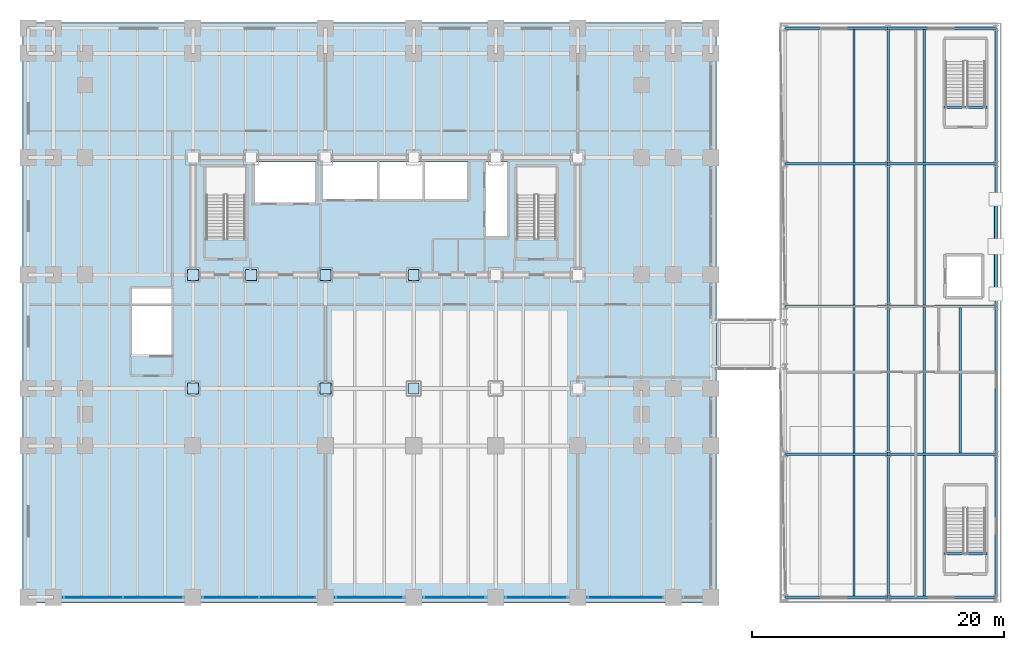
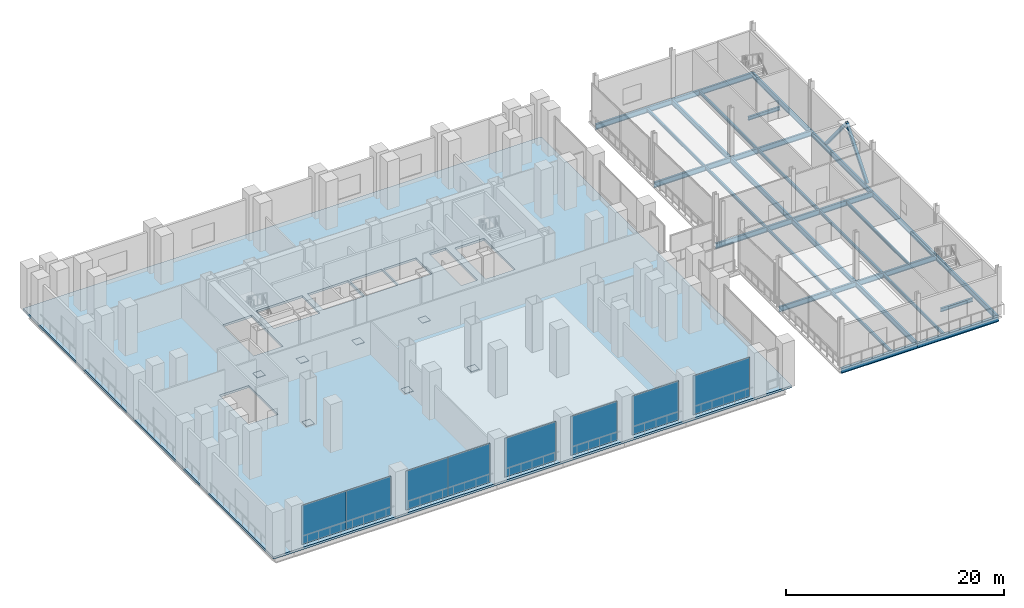
# One storey, part 20 of 30: 29 beams, 15 plates, 2 members, 1 slab, 8 openings, 6 elements without a shape of their own.
"""IFC4 building model written with IfcOpenShell, lengths in metres."""

from ifc_helpers import new_model, si_unit, direction, frame, origin, origin_2d, place, context, subcontext, project, spatial, polyline, rectangle, hollow_rectangle, i_section, outline, extrude, material, layer, layer_set, material_profile, profile_set, type_object, element, aggregate, save


model = new_model("IFC4")

# Units and contexts
model_context = context("Model", 3, precision=1e-05, world=origin(), true_north=direction((0.0, 1.0)))
body_context = subcontext(model_context, "Body", "Model", "MODEL_VIEW")
ifc_project = project(units=[si_unit("LENGTHUNIT", "METRE"), si_unit("AREAUNIT", "SQUARE_METRE"), si_unit("VOLUMEUNIT", "CUBIC_METRE"), si_unit("PLANEANGLEUNIT", "RADIAN"), si_unit("MASSUNIT", "GRAM", prefix="KILO")], contexts=[model_context])

# Site, building, storey
site_placement = place(None, origin())
site = spatial("IfcSite", under=ifc_project, at=site_placement, CompositionType="ELEMENT")
building_placement = place(site_placement, origin())
building = spatial("IfcBuilding", under=site, at=building_placement, Name="Noeulbin Bourse Tower", CompositionType="ELEMENT")
storey_placement = place(building_placement, frame((0.0, 0.0, 16.60009765625)))
storey = spatial("IfcBuildingStorey", under=building, at=storey_placement, Name="L04", CompositionType="ELEMENT", Elevation=16.60009765625)

# Beams
ifc_material_1 = material(Name="Steel S355", Category="steel")
ifc_material_profile_1 = material_profile(ifc_material_1, i_section(OverallWidth=0.199951171875, OverallDepth=0.60009765625, WebThickness=0.010986328125, FlangeThickness=0.01708984375, FilletRadius=0.02197265625, at=origin_2d()), Name="H-600x200x11x17", Category="LoadBearing")
ifc_profile_set_1 = profile_set([ifc_material_profile_1], Name="Steel S355")
beam_type_1 = type_object("IfcBeamType", Name="BM-GRD-600", PredefinedType="USERDEFINED", material=ifc_profile_set_1)
beam_1_placement = place(storey_placement, frame((60.449951171875, 3.449951171875, -0.52001953125), z_axis=(1.0, 0.0, 0.0), x_axis=(0.0, 1.0, 0.0)))
element("IfcBeam", 1, at=beam_1_placement, inside=storey, type_object=beam_type_1, Name="Market Hall Girder EW L04-01", ObjectType="GIRDER", PredefinedType="USERDEFINED", context=body_context, shape_type="SweptSolid", body=[
    extrude(i_section(OverallWidth=0.199951171875, OverallDepth=0.60009765625, WebThickness=0.010986328125, FlangeThickness=0.01708984375, FilletRadius=0.02197265625, at=origin_2d()), origin(), (0.0, 0.0, 1.0), 8.150146484375),
])
beam_2_placement = place(storey_placement, frame((68.60009765625, 3.449951171875, -0.52001953125), z_axis=(1.0, 0.0, 0.0), x_axis=(0.0, 1.0, 0.0)))
element("IfcBeam", 2, at=beam_2_placement, inside=storey, type_object=beam_type_1, Name="Market Hall Girder EW L04-02", ObjectType="GIRDER", PredefinedType="USERDEFINED", context=body_context, shape_type="SweptSolid", body=[
    extrude(i_section(OverallWidth=0.199951171875, OverallDepth=0.60009765625, WebThickness=0.010986328125, FlangeThickness=0.01708984375, FilletRadius=0.02197265625, at=origin_2d()), origin(), (0.0, 0.0, 1.0), 8.5498046875),
])
beam_3_placement = place(storey_placement, frame((60.449951171875, 14.800048828125, -0.52001953125), z_axis=(1.0, 0.0, 0.0), x_axis=(0.0, 1.0, 0.0)))
element("IfcBeam", 3, at=beam_3_placement, inside=storey, type_object=beam_type_1, Name="Market Hall Girder EW L04-03", ObjectType="GIRDER", PredefinedType="USERDEFINED", context=body_context, shape_type="SweptSolid", body=[
    extrude(i_section(OverallWidth=0.199951171875, OverallDepth=0.60009765625, WebThickness=0.010986328125, FlangeThickness=0.01708984375, FilletRadius=0.02197265625, at=origin_2d()), origin(), (0.0, 0.0, 1.0), 8.150146484375),
])
beam_4_placement = place(storey_placement, frame((68.60009765625, 14.800048828125, -0.52001953125), z_axis=(1.0, 0.0, 0.0), x_axis=(0.0, 1.0, 0.0)))
element("IfcBeam", 4, at=beam_4_placement, inside=storey, type_object=beam_type_1, Name="Market Hall Girder EW L04-04", ObjectType="GIRDER", PredefinedType="USERDEFINED", context=body_context, shape_type="SweptSolid", body=[
    extrude(i_section(OverallWidth=0.199951171875, OverallDepth=0.60009765625, WebThickness=0.010986328125, FlangeThickness=0.01708984375, FilletRadius=0.02197265625, at=origin_2d()), origin(), (0.0, 0.0, 1.0), 8.5498046875),
])
beam_5_placement = place(storey_placement, frame((60.449951171875, 26.5, -0.52001953125), z_axis=(1.0, 0.0, 0.0), x_axis=(0.0, 1.0, 0.0)))
element("IfcBeam", 5, at=beam_5_placement, inside=storey, type_object=beam_type_1, Name="Market Hall Girder EW L04-05", ObjectType="GIRDER", PredefinedType="USERDEFINED", context=body_context, shape_type="SweptSolid", body=[
    extrude(i_section(OverallWidth=0.199951171875, OverallDepth=0.60009765625, WebThickness=0.010986328125, FlangeThickness=0.01708984375, FilletRadius=0.02197265625, at=origin_2d()), origin(), (0.0, 0.0, 1.0), 8.150146484375),
])
beam_6_placement = place(storey_placement, frame((68.60009765625, 26.5, -0.52001953125), z_axis=(1.0, 0.0, 0.0), x_axis=(0.0, 1.0, 0.0)))
element("IfcBeam", 6, at=beam_6_placement, inside=storey, type_object=beam_type_1, Name="Market Hall Girder EW L04-06", ObjectType="GIRDER", PredefinedType="USERDEFINED", context=body_context, shape_type="SweptSolid", body=[
    extrude(i_section(OverallWidth=0.199951171875, OverallDepth=0.60009765625, WebThickness=0.010986328125, FlangeThickness=0.01708984375, FilletRadius=0.02197265625, at=origin_2d()), origin(), (0.0, 0.0, 1.0), 8.5498046875),
])
beam_7_placement = place(storey_placement, frame((60.449951171875, 37.800048828125, -0.52001953125), z_axis=(1.0, 0.0, 0.0), x_axis=(0.0, 1.0, 0.0)))
element("IfcBeam", 7, at=beam_7_placement, inside=storey, type_object=beam_type_1, Name="Market Hall Girder EW L04-07", ObjectType="GIRDER", PredefinedType="USERDEFINED", context=body_context, shape_type="SweptSolid", body=[
    extrude(i_section(OverallWidth=0.199951171875, OverallDepth=0.60009765625, WebThickness=0.010986328125, FlangeThickness=0.01708984375, FilletRadius=0.02197265625, at=origin_2d()), origin(), (0.0, 0.0, 1.0), 8.150146484375),
])
beam_8_placement = place(storey_placement, frame((68.60009765625, 37.800048828125, -0.52001953125), z_axis=(1.0, 0.0, 0.0), x_axis=(0.0, 1.0, 0.0)))
element("IfcBeam", 8, at=beam_8_placement, inside=storey, type_object=beam_type_1, Name="Market Hall Girder EW L04-08", ObjectType="GIRDER", PredefinedType="USERDEFINED", context=body_context, shape_type="SweptSolid", body=[
    extrude(i_section(OverallWidth=0.199951171875, OverallDepth=0.60009765625, WebThickness=0.010986328125, FlangeThickness=0.01708984375, FilletRadius=0.02197265625, at=origin_2d()), origin(), (0.0, 0.0, 1.0), 8.5498046875),
])
beam_9_placement = place(storey_placement, frame((60.449951171875, 48.550048828125, -0.52001953125), z_axis=(1.0, 0.0, 0.0), x_axis=(0.0, 1.0, 0.0)))
element("IfcBeam", 9, at=beam_9_placement, inside=storey, type_object=beam_type_1, Name="Market Hall Girder EW L04-09", ObjectType="GIRDER", PredefinedType="USERDEFINED", context=body_context, shape_type="SweptSolid", body=[
    extrude(i_section(OverallWidth=0.199951171875, OverallDepth=0.60009765625, WebThickness=0.010986328125, FlangeThickness=0.01708984375, FilletRadius=0.02197265625, at=origin_2d()), origin(), (0.0, 0.0, 1.0), 8.150146484375),
])
beam_10_placement = place(storey_placement, frame((68.60009765625, 48.550048828125, -0.52001953125), z_axis=(1.0, 0.0, 0.0), x_axis=(0.0, 1.0, 0.0)))
element("IfcBeam", 10, at=beam_10_placement, inside=storey, type_object=beam_type_1, Name="Market Hall Girder EW L04-10", ObjectType="GIRDER", PredefinedType="USERDEFINED", context=body_context, shape_type="SweptSolid", body=[
    extrude(i_section(OverallWidth=0.199951171875, OverallDepth=0.60009765625, WebThickness=0.010986328125, FlangeThickness=0.01708984375, FilletRadius=0.02197265625, at=origin_2d()), origin(), (0.0, 0.0, 1.0), 8.5498046875),
])
beam_11_placement = place(storey_placement, frame((68.60009765625, 3.449951171875, -0.52001953125), z_axis=(0.0, 1.0, 0.0), x_axis=(-1.0, 0.0, 0.0)))
element("IfcBeam", 11, at=beam_11_placement, inside=storey, type_object=beam_type_1, Name="Market Hall Girder NS L04-15", ObjectType="GIRDER", PredefinedType="USERDEFINED", context=body_context, shape_type="SweptSolid", body=[
    extrude(i_section(OverallWidth=0.199951171875, OverallDepth=0.60009765625, WebThickness=0.010986328125, FlangeThickness=0.01708984375, FilletRadius=0.02197265625, at=origin_2d()), origin(), (0.0, 0.0, 1.0), 11.35009765625),
])
beam_12_placement = place(storey_placement, frame((68.60009765625, 14.800048828125, -0.52001953125), z_axis=(0.0, 1.0, 0.0), x_axis=(-1.0, 0.0, 0.0)))
element("IfcBeam", 12, at=beam_12_placement, inside=storey, type_object=beam_type_1, Name="Market Hall Girder NS L04-16", ObjectType="GIRDER", PredefinedType="USERDEFINED", context=body_context, shape_type="SweptSolid", body=[
    extrude(i_section(OverallWidth=0.199951171875, OverallDepth=0.60009765625, WebThickness=0.010986328125, FlangeThickness=0.01708984375, FilletRadius=0.02197265625, at=origin_2d()), origin(), (0.0, 0.0, 1.0), 11.699951171875),
])
beam_13_placement = place(storey_placement, frame((68.60009765625, 26.5, -0.52001953125), z_axis=(0.0, 1.0, 0.0), x_axis=(-1.0, 0.0, 0.0)))
element("IfcBeam", 13, at=beam_13_placement, inside=storey, type_object=beam_type_1, Name="Market Hall Girder NS L04-17", ObjectType="GIRDER", PredefinedType="USERDEFINED", context=body_context, shape_type="SweptSolid", body=[
    extrude(i_section(OverallWidth=0.199951171875, OverallDepth=0.60009765625, WebThickness=0.010986328125, FlangeThickness=0.01708984375, FilletRadius=0.02197265625, at=origin_2d()), origin(), (0.0, 0.0, 1.0), 11.300048828125),
])
beam_14_placement = place(storey_placement, frame((68.60009765625, 37.800048828125, -0.52001953125), z_axis=(0.0, 1.0, 0.0), x_axis=(-1.0, 0.0, 0.0)))
element("IfcBeam", 14, at=beam_14_placement, inside=storey, type_object=beam_type_1, Name="Market Hall Girder NS L04-18", ObjectType="GIRDER", PredefinedType="USERDEFINED", context=body_context, shape_type="SweptSolid", body=[
    extrude(i_section(OverallWidth=0.199951171875, OverallDepth=0.60009765625, WebThickness=0.010986328125, FlangeThickness=0.01708984375, FilletRadius=0.02197265625, at=origin_2d()), origin(), (0.0, 0.0, 1.0), 10.75),
])
beam_15_placement = place(storey_placement, frame((77.14990234375, 3.449951171875, -0.52001953125), z_axis=(0.0, 1.0, 0.0), x_axis=(-1.0, 0.0, 0.0)))
element("IfcBeam", 15, at=beam_15_placement, inside=storey, type_object=beam_type_1, Name="Market Hall Girder NS L04-19", ObjectType="GIRDER", PredefinedType="USERDEFINED", context=body_context, shape_type="SweptSolid", body=[
    extrude(i_section(OverallWidth=0.199951171875, OverallDepth=0.60009765625, WebThickness=0.010986328125, FlangeThickness=0.01708984375, FilletRadius=0.02197265625, at=origin_2d()), origin(), (0.0, 0.0, 1.0), 11.35009765625),
])
beam_16_placement = place(storey_placement, frame((77.14990234375, 14.800048828125, -0.52001953125), z_axis=(0.0, 1.0, 0.0), x_axis=(-1.0, 0.0, 0.0)))
element("IfcBeam", 16, at=beam_16_placement, inside=storey, type_object=beam_type_1, Name="Market Hall Girder NS L04-20", ObjectType="GIRDER", PredefinedType="USERDEFINED", context=body_context, shape_type="SweptSolid", body=[
    extrude(i_section(OverallWidth=0.199951171875, OverallDepth=0.60009765625, WebThickness=0.010986328125, FlangeThickness=0.01708984375, FilletRadius=0.02197265625, at=origin_2d()), origin(), (0.0, 0.0, 1.0), 11.699951171875),
])
beam_17_placement = place(storey_placement, frame((77.14990234375, 26.5, -0.52001953125), z_axis=(0.0, 1.0, 0.0), x_axis=(-1.0, 0.0, 0.0)))
element("IfcBeam", 17, at=beam_17_placement, inside=storey, type_object=beam_type_1, Name="Market Hall Girder NS L04-21", ObjectType="GIRDER", PredefinedType="USERDEFINED", context=body_context, shape_type="SweptSolid", body=[
    extrude(i_section(OverallWidth=0.199951171875, OverallDepth=0.60009765625, WebThickness=0.010986328125, FlangeThickness=0.01708984375, FilletRadius=0.02197265625, at=origin_2d()), origin(), (0.0, 0.0, 1.0), 11.300048828125),
])
beam_18_placement = place(storey_placement, frame((77.14990234375, 37.800048828125, -0.52001953125), z_axis=(0.0, 1.0, 0.0), x_axis=(-1.0, 0.0, 0.0)))
element("IfcBeam", 18, at=beam_18_placement, inside=storey, type_object=beam_type_1, Name="Market Hall Girder NS L04-22", ObjectType="GIRDER", PredefinedType="USERDEFINED", context=body_context, shape_type="SweptSolid", body=[
    extrude(i_section(OverallWidth=0.199951171875, OverallDepth=0.60009765625, WebThickness=0.010986328125, FlangeThickness=0.01708984375, FilletRadius=0.02197265625, at=origin_2d()), origin(), (0.0, 0.0, 1.0), 10.75),
])
ifc_material_profile_2 = material_profile(ifc_material_1, i_section(OverallWidth=0.175048828125, OverallDepth=0.35009765625, WebThickness=0.007080078125, FlangeThickness=0.010986328125, FilletRadius=0.013916015625, at=origin_2d()), Name="H-350x175x7x11", Category="LoadBearing")
ifc_profile_set_2 = profile_set([ifc_material_profile_2], Name="Steel S355")
beam_type_2 = type_object("IfcBeamType", Name="BM-JST-350", PredefinedType="JOIST", material=ifc_profile_set_2)
beam_19_placement = place(storey_placement, frame((65.88330078125, 3.550048828125, -0.39501953125), z_axis=(0.0, 1.0, 0.0), x_axis=(-1.0, 0.0, 0.0)))
element("IfcBeam", 19, at=beam_19_placement, inside=storey, type_object=beam_type_2, Name="Market Hall Secondary Joist L04-05", PredefinedType="JOIST", context=body_context, shape_type="SweptSolid", body=[
    extrude(i_section(OverallWidth=0.175048828125, OverallDepth=0.35009765625, WebThickness=0.007080078125, FlangeThickness=0.010986328125, FilletRadius=0.013916015625, at=origin_2d()), origin(), (0.0, 0.0, 1.0), 11.14990234375),
])
beam_20_placement = place(storey_placement, frame((65.88330078125, 14.89990234375, -0.39501953125), z_axis=(0.0, 1.0, 0.0), x_axis=(-1.0, 0.0, 0.0)))
element("IfcBeam", 20, at=beam_20_placement, inside=storey, type_object=beam_type_2, Name="Market Hall Secondary Joist L04-06", PredefinedType="JOIST", context=body_context, shape_type="SweptSolid", body=[
    extrude(i_section(OverallWidth=0.175048828125, OverallDepth=0.35009765625, WebThickness=0.007080078125, FlangeThickness=0.010986328125, FilletRadius=0.013916015625, at=origin_2d()), origin(), (0.0, 0.0, 1.0), 11.5),
])
beam_21_placement = place(storey_placement, frame((65.88330078125, 26.60009765625, -0.39501953125), z_axis=(0.0, 1.0, 0.0), x_axis=(-1.0, 0.0, 0.0)))
element("IfcBeam", 21, at=beam_21_placement, inside=storey, type_object=beam_type_2, Name="Market Hall Secondary Joist L04-07", PredefinedType="JOIST", context=body_context, shape_type="SweptSolid", body=[
    extrude(i_section(OverallWidth=0.175048828125, OverallDepth=0.35009765625, WebThickness=0.007080078125, FlangeThickness=0.010986328125, FilletRadius=0.013916015625, at=origin_2d()), origin(), (0.0, 0.0, 1.0), 11.099853515625),
])
beam_22_placement = place(storey_placement, frame((65.88330078125, 37.89990234375, -0.39501953125), z_axis=(0.0, 1.0, 0.0), x_axis=(-1.0, 0.0, 0.0)))
element("IfcBeam", 22, at=beam_22_placement, inside=storey, type_object=beam_type_2, Name="Market Hall Secondary Joist L04-08", PredefinedType="JOIST", context=body_context, shape_type="SweptSolid", body=[
    extrude(i_section(OverallWidth=0.175048828125, OverallDepth=0.35009765625, WebThickness=0.007080078125, FlangeThickness=0.010986328125, FilletRadius=0.013916015625, at=origin_2d()), origin(), (0.0, 0.0, 1.0), 10.550048828125),
])
beam_23_placement = place(storey_placement, frame((71.449951171875, 3.550048828125, -0.39501953125), z_axis=(0.0, 1.0, 0.0), x_axis=(-1.0, 0.0, 0.0)))
element("IfcBeam", 23, at=beam_23_placement, inside=storey, type_object=beam_type_2, Name="Market Hall Secondary Joist L04-09", PredefinedType="JOIST", context=body_context, shape_type="SweptSolid", body=[
    extrude(i_section(OverallWidth=0.175048828125, OverallDepth=0.35009765625, WebThickness=0.007080078125, FlangeThickness=0.010986328125, FilletRadius=0.013916015625, at=origin_2d()), origin(), (0.0, 0.0, 1.0), 11.14990234375),
])
beam_24_placement = place(storey_placement, frame((71.449951171875, 14.89990234375, -0.39501953125), z_axis=(0.0, 1.0, 0.0), x_axis=(-1.0, 0.0, 0.0)))
element("IfcBeam", 24, at=beam_24_placement, inside=storey, type_object=beam_type_2, Name="Market Hall Secondary Joist L04-10", PredefinedType="JOIST", context=body_context, shape_type="SweptSolid", body=[
    extrude(i_section(OverallWidth=0.175048828125, OverallDepth=0.35009765625, WebThickness=0.007080078125, FlangeThickness=0.010986328125, FilletRadius=0.013916015625, at=origin_2d()), origin(), (0.0, 0.0, 1.0), 11.5),
])
beam_25_placement = place(storey_placement, frame((71.449951171875, 26.60009765625, -0.39501953125), z_axis=(0.0, 1.0, 0.0), x_axis=(-1.0, 0.0, 0.0)))
element("IfcBeam", 25, at=beam_25_placement, inside=storey, type_object=beam_type_2, Name="Market Hall Secondary Joist L04-11", PredefinedType="JOIST", context=body_context, shape_type="SweptSolid", body=[
    extrude(i_section(OverallWidth=0.175048828125, OverallDepth=0.35009765625, WebThickness=0.007080078125, FlangeThickness=0.010986328125, FilletRadius=0.013916015625, at=origin_2d()), origin(), (0.0, 0.0, 1.0), 11.099853515625),
])
beam_26_placement = place(storey_placement, frame((71.449951171875, 37.89990234375, -0.39501953125), z_axis=(0.0, 1.0, 0.0), x_axis=(-1.0, 0.0, 0.0)))
element("IfcBeam", 26, at=beam_26_placement, inside=storey, type_object=beam_type_2, Name="Market Hall Secondary Joist L04-12", PredefinedType="JOIST", context=body_context, shape_type="SweptSolid", body=[
    extrude(i_section(OverallWidth=0.175048828125, OverallDepth=0.35009765625, WebThickness=0.007080078125, FlangeThickness=0.010986328125, FilletRadius=0.013916015625, at=origin_2d()), origin(), (0.0, 0.0, 1.0), 10.550048828125),
])
beam_27_placement = place(storey_placement, frame((74.300048828125, 14.89990234375, -0.39501953125), z_axis=(0.0, 1.0, 0.0), x_axis=(-1.0, 0.0, 0.0)))
element("IfcBeam", 27, at=beam_27_placement, inside=storey, type_object=beam_type_2, Name="Market Hall Secondary Joist L04-13", PredefinedType="JOIST", context=body_context, shape_type="SweptSolid", body=[
    extrude(i_section(OverallWidth=0.175048828125, OverallDepth=0.35009765625, WebThickness=0.007080078125, FlangeThickness=0.010986328125, FilletRadius=0.013916015625, at=origin_2d()), origin(), (0.0, 0.0, 1.0), 11.5),
])
ifc_material_profile_3 = material_profile(ifc_material_1, i_section(OverallWidth=0.199951171875, OverallDepth=0.39990234375, WebThickness=0.008056640625, FlangeThickness=0.012939453125, FilletRadius=0.01611328125, at=origin_2d()), Name="H-400x200x8x13", Category="LoadBearing")
ifc_profile_set_3 = profile_set([ifc_material_profile_3], Name="Steel S355")
beam_type_3 = type_object("IfcBeamType", Name="BM-SEC-400", PredefinedType="BEAM", material=ifc_profile_set_3)
for number, where, z_axis, x_axis, name in (
    (28, (73.02001953125, 6.889892578125, -0.2001953125), (1.0, 0.0, 0.0), (0.0, 1.0, 0.0), "Stair Threshold Trimmer Beam MST1-L04"),
    (29, (73.02001953125, 42.2900390625, -0.2001953125), (1.0, 0.0, 0.0), (0.0, 1.0, 0.0), "Stair Threshold Trimmer Beam MST2-L04"),
):
    element("IfcBeam", number, at=place(storey_placement, frame(where, z_axis=z_axis, x_axis=x_axis)), inside=storey, type_object=beam_type_3, Name=name, PredefinedType="BEAM", context=body_context, shape_type="SweptSolid", body=[
        extrude(i_section(OverallWidth=0.199951171875, OverallDepth=0.39990234375, WebThickness=0.008056640625, FlangeThickness=0.012939453125, FilletRadius=0.01611328125, at=origin_2d()), origin(), (0.0, 0.0, 1.0), 3.39990234375),
    ])

# Members
ifc_material_profile_4 = material_profile(ifc_material_1, hollow_rectangle(XDim=0.300048828125, YDim=0.300048828125, WallThickness=0.011962890625, InnerFilletRadius=0.011962890625, OuterFilletRadius=0.02392578125, at=origin_2d()), Name="SHS-300x300x12", Category="LoadBearing")
ifc_profile_set_4 = profile_set([ifc_material_profile_4], Name="Steel S355")
member_type = type_object("IfcMemberType", Name="MEM-MKT-300", PredefinedType="BRACE", material=ifc_profile_set_4)
for number, where, z_axis, x_axis, name in (
    (30, (77.14990234375, 27.5, 0.010009765625), (0.0, 0.637690057429, 0.770293055048), (-1.0, 0.0, 0.0), "Market Hall Braced Frame Diagonal MB-L04-1"),
    (31, (77.14990234375, 31.25, 4.539794921875), (0.0, 0.637690057429, -0.770293055048), (-1.0, 0.0, 0.0), "Market Hall Braced Frame Diagonal MB-L04-2"),
):
    element("IfcMember", number, at=place(storey_placement, frame(where, z_axis=z_axis, x_axis=x_axis)), inside=storey, type_object=member_type, Name=name, PredefinedType="BRACE", context=body_context, shape_type="SweptSolid", body=[
        extrude(hollow_rectangle(XDim=0.300048828125, YDim=0.300048828125, WallThickness=0.011962890625, InnerFilletRadius=0.011962890625, OuterFilletRadius=0.02392578125, at=origin_2d()), origin(), (0.0, 0.0, 1.0), 5.880615234375),
    ])

# Curtain wall, plates
ifc_material_2 = material(Name="Laminated Clear Low-E Glass", Category="glass")
curtain_wall_type = type_object("IfcCurtainWallType", Name="CW-SYS-1", PredefinedType="NOTDEFINED", material=ifc_material_2)
curtain_wall_1_placement = place(storey_placement, origin())
curtain_wall_1 = element("IfcCurtainWall", 32, at=curtain_wall_1_placement, inside=storey, type_object=curtain_wall_type, Name="Unitised Curtain Wall CW-L04-POD-S-S1", PredefinedType="NOTDEFINED")
ifc_layer_1 = layer(ifc_material_2, 0.035888671875)
ifc_layer_set_1 = layer_set([ifc_layer_1], Name="Laminated Clear Low-E Glass")
plate_type_1 = type_object("IfcPlateType", Name="CW-SYS-1-PNL", PredefinedType="CURTAIN_PANEL", material=ifc_layer_set_1)
plate_1_placement = place(storey_placement, frame((5.60498046875, 3.449951171875, 0.0), z_axis=(0.0, 0.0, 1.0), x_axis=(1.0, 0.0, 0.0)))
plate_1 = element("IfcPlate", 33, at=plate_1_placement, type_object=plate_type_1, Name="Glazed Curtain Panel CW-L04-POD-S-S1-P00", PredefinedType="CURTAIN_PANEL", context=body_context, shape_type="SweptSolid", body=[
    extrude(rectangle(XDim=4.739990234375, YDim=0.035888671875, at=origin_2d()), origin(), (0.0, 0.0, 1.0), 4.3798828125),
])
plate_2_placement = place(storey_placement, frame((10.344970703125, 3.449951171875, 0.0), z_axis=(0.0, 0.0, 1.0), x_axis=(1.0, 0.0, 0.0)))
plate_2 = element("IfcPlate", 34, at=plate_2_placement, type_object=plate_type_1, Name="Glazed Curtain Panel CW-L04-POD-S-S1-P01", PredefinedType="CURTAIN_PANEL", context=body_context, shape_type="SweptSolid", body=[
    extrude(rectangle(XDim=4.739990234375, YDim=0.035888671875, at=origin_2d()), origin(), (0.0, 0.0, 1.0), 4.3798828125),
])
aggregate(curtain_wall_1, [plate_1, plate_2])

curtain_wall_2_placement = place(storey_placement, origin())
curtain_wall_2 = element("IfcCurtainWall", 35, at=curtain_wall_2_placement, inside=storey, type_object=curtain_wall_type, Name="Unitised Curtain Wall CW-L04-POD-S-S2", PredefinedType="NOTDEFINED")
plate_3_placement = place(storey_placement, frame((16.517578125, 3.449951171875, 0.0), z_axis=(0.0, 0.0, 1.0), x_axis=(1.0, 0.0, 0.0)))
plate_3 = element("IfcPlate", 36, at=plate_3_placement, type_object=plate_type_1, Name="Glazed Curtain Panel CW-L04-POD-S-S2-P00", PredefinedType="CURTAIN_PANEL", context=body_context, shape_type="SweptSolid", body=[
    extrude(rectangle(XDim=4.465087890625, YDim=0.035888671875, at=origin_2d()), origin(), (0.0, 0.0, 1.0), 4.3798828125),
])
plate_4_placement = place(storey_placement, frame((20.982421875, 3.449951171875, 0.0), z_axis=(0.0, 0.0, 1.0), x_axis=(1.0, 0.0, 0.0)))
plate_4 = element("IfcPlate", 37, at=plate_4_placement, type_object=plate_type_1, Name="Glazed Curtain Panel CW-L04-POD-S-S2-P01", PredefinedType="CURTAIN_PANEL", context=body_context, shape_type="SweptSolid", body=[
    extrude(rectangle(XDim=4.465087890625, YDim=0.035888671875, at=origin_2d()), origin(), (0.0, 0.0, 1.0), 4.3798828125),
])
aggregate(curtain_wall_2, [plate_3, plate_4])

# Curtain wall, plate
curtain_wall_3_placement = place(storey_placement, origin())
curtain_wall_3 = element("IfcCurtainWall", 38, at=curtain_wall_3_placement, inside=storey, type_object=curtain_wall_type, Name="Unitised Curtain Wall CW-L04-POD-S-S3", PredefinedType="NOTDEFINED")
plate_5_placement = place(storey_placement, frame((27.5, 3.449951171875, 0.0), z_axis=(0.0, 0.0, 1.0), x_axis=(1.0, 0.0, 0.0)))
plate_5 = element("IfcPlate", 39, at=plate_5_placement, type_object=plate_type_1, Name="Glazed Curtain Panel CW-L04-POD-S-S3-P00", PredefinedType="CURTAIN_PANEL", context=body_context, shape_type="SweptSolid", body=[
    extrude(rectangle(XDim=5.429931640625, YDim=0.035888671875, at=origin_2d()), origin(), (0.0, 0.0, 1.0), 4.3798828125),
])
aggregate(curtain_wall_3, [plate_5])

curtain_wall_4_placement = place(storey_placement, origin())
curtain_wall_4 = element("IfcCurtainWall", 40, at=curtain_wall_4_placement, inside=storey, type_object=curtain_wall_type, Name="Unitised Curtain Wall CW-L04-POD-S-S4", PredefinedType="NOTDEFINED")
plate_6_placement = place(storey_placement, frame((34.25, 3.449951171875, 0.0), z_axis=(0.0, 0.0, 1.0), x_axis=(1.0, 0.0, 0.0)))
plate_6 = element("IfcPlate", 41, at=plate_6_placement, type_object=plate_type_1, Name="Glazed Curtain Panel CW-L04-POD-S-S4-P00", PredefinedType="CURTAIN_PANEL", context=body_context, shape_type="SweptSolid", body=[
    extrude(rectangle(XDim=4.929931640625, YDim=0.035888671875, at=origin_2d()), origin(), (0.0, 0.0, 1.0), 4.3798828125),
])
aggregate(curtain_wall_4, [plate_6])

curtain_wall_5_placement = place(storey_placement, origin())
curtain_wall_5 = element("IfcCurtainWall", 42, at=curtain_wall_5_placement, inside=storey, type_object=curtain_wall_type, Name="Unitised Curtain Wall CW-L04-POD-S-S5", PredefinedType="NOTDEFINED")
plate_7_placement = place(storey_placement, frame((40.75, 3.449951171875, 0.0), z_axis=(0.0, 0.0, 1.0), x_axis=(1.0, 0.0, 0.0)))
plate_7 = element("IfcPlate", 43, at=plate_7_placement, type_object=plate_type_1, Name="Glazed Curtain Panel CW-L04-POD-S-S5-P00", PredefinedType="CURTAIN_PANEL", context=body_context, shape_type="SweptSolid", body=[
    extrude(rectangle(XDim=4.929931640625, YDim=0.035888671875, at=origin_2d()), origin(), (0.0, 0.0, 1.0), 4.3798828125),
])
aggregate(curtain_wall_5, [plate_7])

curtain_wall_6_placement = place(storey_placement, origin())
curtain_wall_6 = element("IfcCurtainWall", 44, at=curtain_wall_6_placement, inside=storey, type_object=curtain_wall_type, Name="Unitised Curtain Wall CW-L04-POD-S-S6", PredefinedType="NOTDEFINED")
plate_8_placement = place(storey_placement, frame((47.77490234375, 3.449951171875, 0.0), z_axis=(0.0, 0.0, 1.0), x_axis=(1.0, 0.0, 0.0)))
plate_8 = element("IfcPlate", 45, at=plate_8_placement, type_object=plate_type_1, Name="Glazed Curtain Panel CW-L04-POD-S-S6-P00", PredefinedType="CURTAIN_PANEL", context=body_context, shape_type="SweptSolid", body=[
    extrude(rectangle(XDim=5.97998046875, YDim=0.035888671875, at=origin_2d()), origin(), (0.0, 0.0, 1.0), 4.3798828125),
])
aggregate(curtain_wall_6, [plate_8])

# Plates
ifc_layer_2 = layer(ifc_material_1, 0.030029296875)
ifc_layer_set_2 = layer_set([ifc_layer_2], Name="Steel S355")
plate_type_2 = type_object("IfcPlateType", Name="PLT-BN1", PredefinedType="USERDEFINED", material=ifc_layer_set_2)
for number, where, z_axis, x_axis, name in (
    (46, (13.5, 29.0, 0.0048828125), (0.0, 0.0, 1.0), (1.0, 0.0, 0.0), "Mega-Column Splice Plate BN1-L04-01"),
    (47, (18.10009765625, 29.0, 0.0048828125), (0.0, 0.0, 1.0), (1.0, 0.0, 0.0), "Mega-Column Splice Plate BN1-L04-03"),
    (48, (24.0, 29.0, 0.0048828125), (0.0, 0.0, 1.0), (1.0, 0.0, 0.0), "Mega-Column Splice Plate BN1-L04-05"),
    (49, (31.0, 29.0, 0.0048828125), (0.0, 0.0, 1.0), (1.0, 0.0, 0.0), "Mega-Column Splice Plate BN1-L04-07"),
    (50, (13.5, 20.0, 0.0048828125), (0.0, 0.0, 1.0), (1.0, 0.0, 0.0), "Mega-Column Splice Plate BN1-L04-13"),
    (51, (24.0, 20.0, 0.0048828125), (0.0, 0.0, 1.0), (1.0, 0.0, 0.0), "Mega-Column Splice Plate BN1-L04-14"),
    (52, (31.0, 20.0, 0.0048828125), (0.0, 0.0, 1.0), (1.0, 0.0, 0.0), "Mega-Column Splice Plate BN1-L04-15"),
):
    element("IfcPlate", number, at=place(storey_placement, frame(where, z_axis=z_axis, x_axis=x_axis)), inside=storey, type_object=plate_type_2, Name=name, ObjectType="SPLICE PLATE", PredefinedType="USERDEFINED", context=body_context, shape_type="SweptSolid", body=[
        extrude(rectangle(XDim=0.85009765625, YDim=0.85009765625, at=origin_2d()), origin(), (0.0, 0.0, 1.0), 0.030029296875),
    ])

# Slab, openings
ifc_material_3 = material(Name="Concrete C40/50", Category="concrete")
ifc_layer_3 = layer(ifc_material_3, 0.25)
ifc_layer_set_3 = layer_set([ifc_layer_3], Name="Concrete C40/50")
slab_type = type_object("IfcSlabType", Name="SLB-POD-250", PredefinedType="FLOOR", material=ifc_layer_set_3)
slab_placement = place(storey_placement, frame((0.0, 0.0, -0.25)))
slab = element("IfcSlab", 53, at=slab_placement, inside=storey, type_object=slab_type, Name="Exchange Podium Floor Slab L04", PredefinedType="FLOOR", context=body_context, shape_type="SweptSolid", body=[
    extrude(outline(polyline([(0.0, 3.0), (55.0, 3.0), (55.0, 49.0), (0.0, 49.0), (0.0, 3.0)]), holes=[polyline([(17.64990234375, 31.81005859375), (17.64990234375, 37.5439453125), (14.550048828125, 37.5439453125), (14.550048828125, 31.81005859375), (17.64990234375, 31.81005859375)]), polyline([(42.280029296875, 31.81005859375), (42.280029296875, 37.5439453125), (39.179931640625, 37.5439453125), (39.179931640625, 31.81005859375), (42.280029296875, 31.81005859375)]), polyline([(11.800048828125, 22.580078125), (11.800048828125, 27.93994140625), (8.679931640625, 27.93994140625), (8.679931640625, 22.580078125), (11.800048828125, 22.580078125)]), polyline([(18.35009765625, 34.699951171875), (23.25, 34.699951171875), (23.25, 37.949951171875), (18.35009765625, 37.949951171875), (18.35009765625, 34.699951171875)]), polyline([(36.699951171875, 32.050048828125), (38.449951171875, 32.050048828125), (38.449951171875, 37.949951171875), (36.699951171875, 37.949951171875), (36.699951171875, 32.050048828125)]), polyline([(23.800048828125, 35.0), (28.10009765625, 35.0), (28.10009765625, 37.949951171875), (23.800048828125, 37.949951171875), (23.800048828125, 35.0)]), polyline([(28.25, 35.0), (31.699951171875, 35.0), (31.699951171875, 37.949951171875), (28.25, 37.949951171875), (28.25, 35.0)]), polyline([(31.85009765625, 35.0), (35.300048828125, 35.0), (35.300048828125, 37.949951171875), (31.85009765625, 37.949951171875), (31.85009765625, 35.0)])]), origin(), (0.0, 0.0, 1.0), 0.25),
])
opening_1_placement = place(slab_placement, frame((0.0, 0.0, -0.010009765625)))
element("IfcOpeningElement", 54, at=opening_1_placement, cuts=slab, Name="Slab Shaft Opening SLB-L04-POD-1", PredefinedType="OPENING", context=body_context, shape_type="SweptSolid", body=[
    extrude(outline(polyline([(17.64990234375, 31.81005859375), (17.64990234375, 37.5439453125), (14.550048828125, 37.5439453125), (14.550048828125, 31.81005859375), (17.64990234375, 31.81005859375)])), origin(), (0.0, 0.0, 1.0), 0.27001953125),
])
opening_2_placement = place(slab_placement, frame((0.0, 0.0, -0.010009765625)))
element("IfcOpeningElement", 55, at=opening_2_placement, cuts=slab, Name="Slab Shaft Opening SLB-L04-POD-2", PredefinedType="OPENING", context=body_context, shape_type="SweptSolid", body=[
    extrude(outline(polyline([(42.280029296875, 31.81005859375), (42.280029296875, 37.5439453125), (39.179931640625, 37.5439453125), (39.179931640625, 31.81005859375), (42.280029296875, 31.81005859375)])), origin(), (0.0, 0.0, 1.0), 0.27001953125),
])
opening_3_placement = place(slab_placement, frame((0.0, 0.0, -0.010009765625)))
element("IfcOpeningElement", 56, at=opening_3_placement, cuts=slab, Name="Slab Shaft Opening SLB-L04-POD-3", PredefinedType="OPENING", context=body_context, shape_type="SweptSolid", body=[
    extrude(outline(polyline([(11.800048828125, 22.580078125), (11.800048828125, 27.93994140625), (8.679931640625, 27.93994140625), (8.679931640625, 22.580078125), (11.800048828125, 22.580078125)])), origin(), (0.0, 0.0, 1.0), 0.27001953125),
])
opening_4_placement = place(slab_placement, frame((0.0, 0.0, -0.010009765625)))
element("IfcOpeningElement", 57, at=opening_4_placement, cuts=slab, Name="Slab Shaft Opening SLB-L04-POD-4", PredefinedType="OPENING", context=body_context, shape_type="SweptSolid", body=[
    extrude(outline(polyline([(18.35009765625, 34.699951171875), (23.25, 34.699951171875), (23.25, 37.949951171875), (18.35009765625, 37.949951171875), (18.35009765625, 34.699951171875)])), origin(), (0.0, 0.0, 1.0), 0.27001953125),
])
opening_5_placement = place(slab_placement, frame((0.0, 0.0, -0.010009765625)))
element("IfcOpeningElement", 58, at=opening_5_placement, cuts=slab, Name="Slab Shaft Opening SLB-L04-POD-5", PredefinedType="OPENING", context=body_context, shape_type="SweptSolid", body=[
    extrude(outline(polyline([(36.699951171875, 32.050048828125), (38.449951171875, 32.050048828125), (38.449951171875, 37.949951171875), (36.699951171875, 37.949951171875), (36.699951171875, 32.050048828125)])), origin(), (0.0, 0.0, 1.0), 0.27001953125),
])
opening_6_placement = place(slab_placement, frame((0.0, 0.0, -0.010009765625)))
element("IfcOpeningElement", 59, at=opening_6_placement, cuts=slab, Name="Slab Shaft Opening SLB-L04-POD-6", PredefinedType="OPENING", context=body_context, shape_type="SweptSolid", body=[
    extrude(outline(polyline([(23.800048828125, 35.0), (28.10009765625, 35.0), (28.10009765625, 37.949951171875), (23.800048828125, 37.949951171875), (23.800048828125, 35.0)])), origin(), (0.0, 0.0, 1.0), 0.27001953125),
])
opening_7_placement = place(slab_placement, frame((0.0, 0.0, -0.010009765625)))
element("IfcOpeningElement", 60, at=opening_7_placement, cuts=slab, Name="Slab Shaft Opening SLB-L04-POD-7", PredefinedType="OPENING", context=body_context, shape_type="SweptSolid", body=[
    extrude(outline(polyline([(28.25, 35.0), (31.699951171875, 35.0), (31.699951171875, 37.949951171875), (28.25, 37.949951171875), (28.25, 35.0)])), origin(), (0.0, 0.0, 1.0), 0.27001953125),
])
opening_8_placement = place(slab_placement, frame((0.0, 0.0, -0.010009765625)))
element("IfcOpeningElement", 61, at=opening_8_placement, cuts=slab, Name="Slab Shaft Opening SLB-L04-POD-8", PredefinedType="OPENING", context=body_context, shape_type="SweptSolid", body=[
    extrude(outline(polyline([(31.85009765625, 35.0), (35.300048828125, 35.0), (35.300048828125, 37.949951171875), (31.85009765625, 37.949951171875), (31.85009765625, 35.0)])), origin(), (0.0, 0.0, 1.0), 0.27001953125),
])

save(model, "model.ifc")
